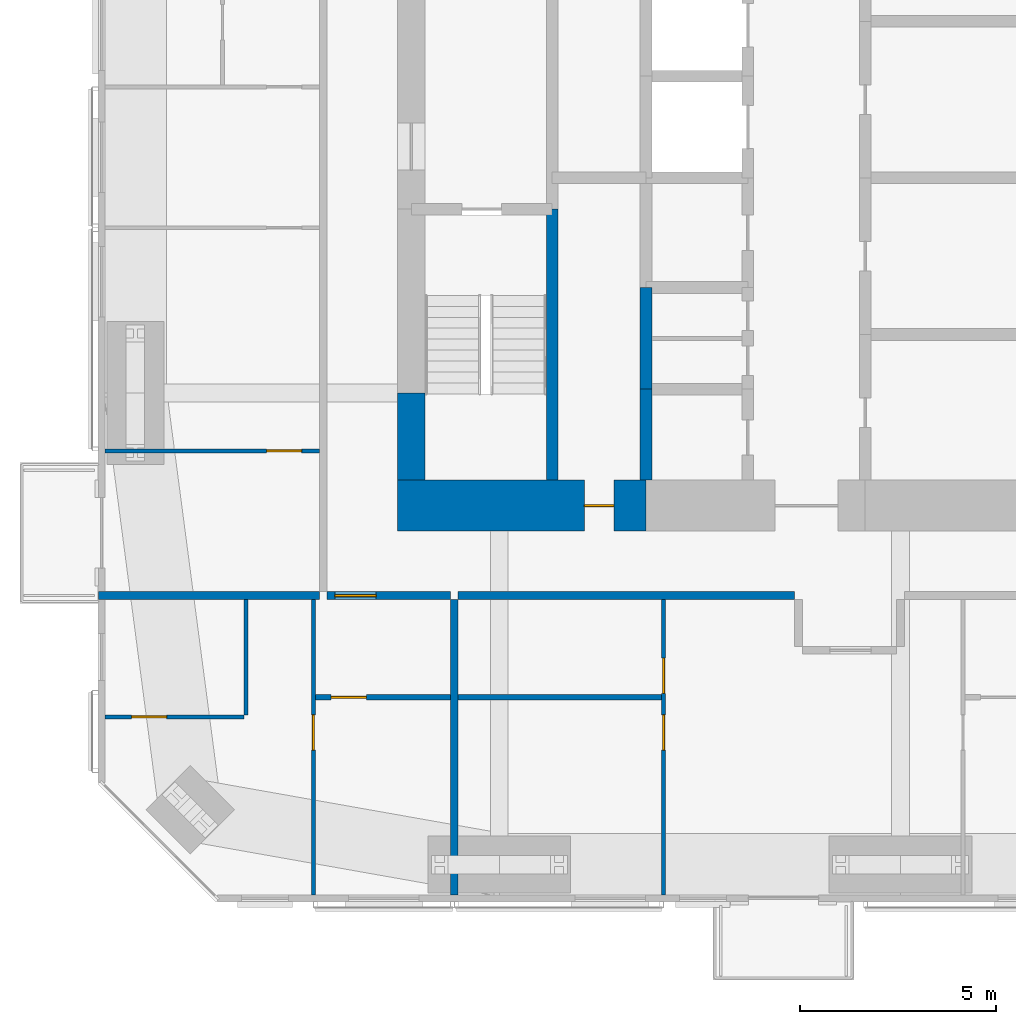
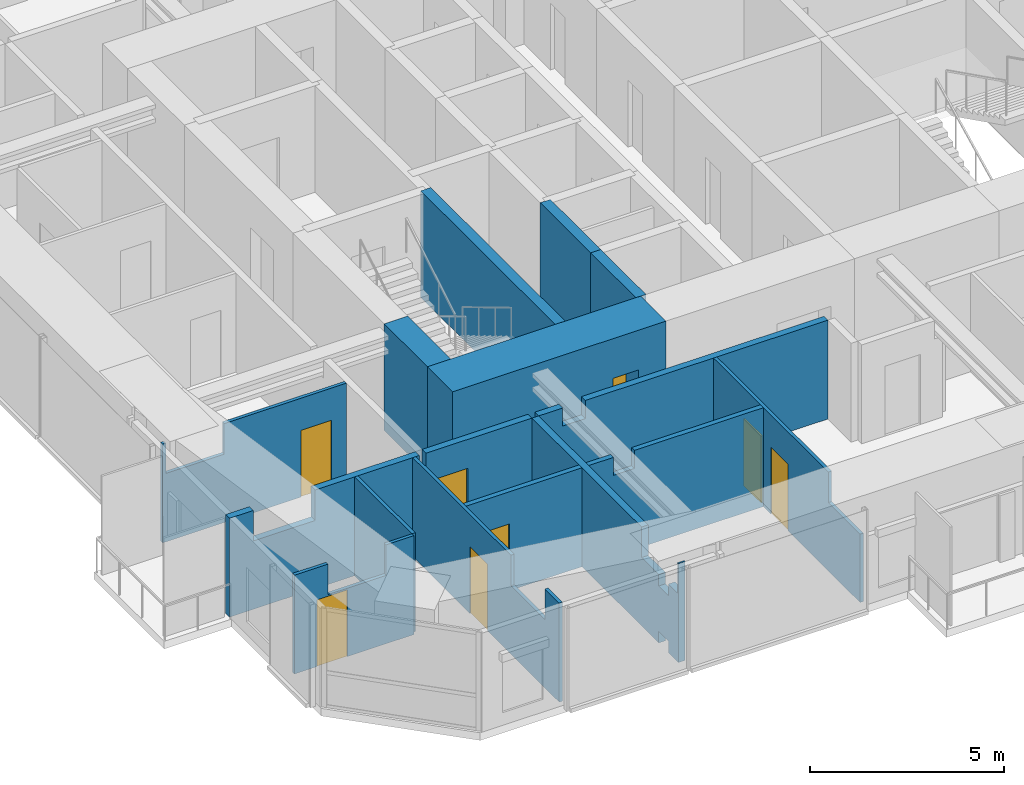
# One storey, part 15 of 23: 16 walls, 8 doors, 8 openings.
"""IFC4 building model written with IfcOpenShell, lengths in metres."""

import ifcopenshell
import ifcopenshell.guid

model = None  # the IFC model being written
_history = None  # IfcOwnerHistory: only IFC2X3 demands one
_inside = {}  # id of a spatial element -> (the spatial element, [elements in it])
_under = {}  # id of a project, library or spatial element -> (it, [spatial elements below it])
_declared = {}  # id of a project -> (the project, [libraries it declares])
_typed = {}  # id of a type object -> (the type object, [elements of that type])
_made_of = {}  # id of a material, layer set ... -> (it, [elements and type objects made of it])


def new_model(schema):
    """Start an empty IFC model of exactly this schema.

    Asked for "IFC4X3", IfcOpenShell would pick the latest addendum, in which some entities
    have other attributes; the version numbers below select the first issue.
    IFC2X3 requires an IfcOwnerHistory on every rooted entity: one is made here for all.
    """
    global model, _history
    if schema == "IFC4X3":
        model = ifcopenshell.file(schema_version=(4, 3, 0, 0))
    else:
        model = ifcopenshell.file(schema=schema)
    _inside.clear()
    _under.clear()
    _declared.clear()
    _typed.clear()
    _made_of.clear()
    _history = None
    if model.schema == "IFC2X3":
        org = make("IfcOrganization", Name="unknown")
        user = make(
            "IfcPersonAndOrganization",
            ThePerson=make("IfcPerson", FamilyName="unknown"),
            TheOrganization=org,
        )
        app = make(
            "IfcApplication",
            ApplicationDeveloper=org,
            Version="unknown",
            ApplicationFullName="unknown",
            ApplicationIdentifier="unknown",
        )
        _history = make(
            "IfcOwnerHistory",
            OwningUser=user,
            OwningApplication=app,
            ChangeAction="ADDED",
            CreationDate=0,
        )
    return model


def make(cls, **values):
    """One entity of the class cls with the attributes given. An attribute that is None is left unset."""
    return model.create_entity(
        cls, **{name: value for name, value in values.items() if value is not None}
    )


def rooted(cls, **values):
    """An entity with a GlobalId (a new one), such as an element, a storey or a relation."""
    return make(cls, GlobalId=ifcopenshell.guid.new(), OwnerHistory=_history, **values)


def si_unit(unit_type, name, prefix=None):
    """IfcSIUnit, for example si_unit("LENGTHUNIT", "METRE", prefix="MILLI")."""
    return make("IfcSIUnit", UnitType=unit_type, Prefix=prefix, Name=name)


def assignment(units):
    """IfcUnitAssignment: the units of a project."""
    return None if units is None else make("IfcUnitAssignment", Units=units)


def point(xyz):
    """IfcCartesianPoint."""
    return None if xyz is None else make("IfcCartesianPoint", Coordinates=xyz)


def direction(xyz):
    """IfcDirection."""
    return None if xyz is None else make("IfcDirection", DirectionRatios=xyz)


def frame(location, z_axis=None, x_axis=None):
    """IfcAxis2Placement3D, a coordinate frame: its origin and axes. An axis left out is left unset."""
    return make(
        "IfcAxis2Placement3D",
        Location=point(location),
        Axis=direction(z_axis),
        RefDirection=direction(x_axis),
    )


def frame_2d(location, x_axis=None):
    """IfcAxis2Placement2D, a coordinate frame in the plane: its origin and x axis."""
    return make(
        "IfcAxis2Placement2D", Location=point(location), RefDirection=direction(x_axis)
    )


def origin():
    """The frame at (0, 0, 0) with its axes left unset."""
    return frame((0.0, 0.0, 0.0))


def place(relative_to, where):
    """IfcLocalPlacement: puts the frame where relative to a parent placement (None: the world)."""
    return make(
        "IfcLocalPlacement", PlacementRelTo=relative_to, RelativePlacement=where
    )


def context(
    kind, dimensions, precision=None, world=None, true_north=None, identifier=None
):
    """IfcGeometricRepresentationContext, for example the 3D "Model" context."""
    return make(
        "IfcGeometricRepresentationContext",
        ContextIdentifier=identifier,
        ContextType=kind,
        CoordinateSpaceDimension=dimensions,
        Precision=precision,
        WorldCoordinateSystem=world,
        TrueNorth=true_north,
    )


def subcontext(parent, identifier, kind, view, scale=None):
    """IfcGeometricRepresentationSubContext, for example "Body" below "Model"."""
    return make(
        "IfcGeometricRepresentationSubContext",
        ContextIdentifier=identifier,
        ContextType=kind,
        ParentContext=parent,
        TargetScale=scale,
        TargetView=view,
    )


def project(units=None, contexts=None):
    """IfcProject with its units and contexts."""
    return rooted(
        "IfcProject",
        Name="project",
        RepresentationContexts=contexts,
        UnitsInContext=assignment(units),
    )


def spatial(cls, under=None, at=None, **own):
    """A site, building, storey or space (cls), placed at a placement, below another one or the project."""
    s = rooted(cls, ObjectPlacement=at, **own)
    if under is not None:
        _under.setdefault(under.id(), (under, []))[1].append(s)
    return s


def polyline(points):
    """IfcPolyline through the points."""
    return make("IfcPolyline", Points=[point(p) for p in points])


def profile(cls, at=None, kind="AREA", **sizes):
    """A parametric profile (cls). Its sizes go by their IFC names, for example OverallWidth=200.0."""
    return make(cls, ProfileType=kind, Position=at, **sizes)


def rectangle(**sizes):
    """IfcRectangleProfileDef."""
    return profile("IfcRectangleProfileDef", **sizes)


def outline(outer, holes=None, kind="AREA"):
    """IfcArbitraryClosedProfileDef: a profile drawn as a closed curve; with holes, ...WithVoids."""
    if holes is None:
        return make("IfcArbitraryClosedProfileDef", ProfileType=kind, OuterCurve=outer)
    return make(
        "IfcArbitraryProfileDefWithVoids",
        ProfileType=kind,
        OuterCurve=outer,
        InnerCurves=holes,
    )


def extrude(swept, where, along, depth):
    """IfcExtrudedAreaSolid: the profile swept, set in the frame where, extruded along a direction by depth."""
    return make(
        "IfcExtrudedAreaSolid",
        SweptArea=swept,
        Position=where,
        ExtrudedDirection=direction(along),
        Depth=depth,
    )


def shape(context_of_items, identifier, shape_type, items):
    """IfcShapeRepresentation: the items that make up one representation, for example the "Body"."""
    return make(
        "IfcShapeRepresentation",
        ContextOfItems=context_of_items,
        RepresentationIdentifier=identifier,
        RepresentationType=shape_type,
        Items=items,
    )


def material(Name=None, Category=None):
    """IfcMaterial."""
    return make("IfcMaterial", Name=Name, Category=Category)


def layer(
    of_material, thickness, ventilated=None, Name=None, Category=None, Priority=None
):
    """IfcMaterialLayer: one layer of a wall or slab, of a material (None: an air gap)."""
    return make(
        "IfcMaterialLayer",
        Material=of_material,
        LayerThickness=thickness,
        IsVentilated=ventilated,
        Name=Name,
        Category=Category,
        Priority=Priority,
    )


def layer_set(layers, Name=None):
    """IfcMaterialLayerSet."""
    return make("IfcMaterialLayerSet", MaterialLayers=layers, LayerSetName=Name)


def constituent(of_material, Name=None, Category=None, fraction=None):
    """IfcMaterialConstituent: one of the materials an element consists of."""
    return make(
        "IfcMaterialConstituent",
        Name=Name,
        Material=of_material,
        Fraction=fraction,
        Category=Category,
    )


def constituent_set(constituents=None, Name=None):
    """IfcMaterialConstituentSet."""
    return make(
        "IfcMaterialConstituentSet", Name=Name, MaterialConstituents=constituents
    )


def made_of(thing, what):
    """Note that an element or type object is made of a material, layer set ...; save() writes the relation."""
    if what is not None:
        _made_of.setdefault(what.id(), (what, []))[1].append(thing)
    return thing


def type_object(cls, material=None, **own):
    """A type object (cls), such as IfcWallType, which elements share."""
    return made_of(rooted(cls, **own), material)


def element(
    cls,
    number,
    at=None,
    inside=None,
    cuts=None,
    type_object=None,
    material=None,
    context=None,
    identifier="Body",
    shape_type=None,
    held_by="IfcProductDefinitionShape",
    body=None,
    shapes=None,
    **own,
):
    """One element of the class cls, such as IfcWall. Its Tag is "e" and its number.

    at: its placement. inside: the storey or other place that contains it. cuts: it is an
    opening in that element (IfcRelVoidsElement). A single representation is given by context,
    identifier, shape_type and body (its items); several are given by shapes. held_by: the class
    of the entity that holds the representations. save() writes the other relations.
    """
    e = rooted(cls, Tag="e%d" % number, ObjectPlacement=at, **own)
    if body is not None:
        shapes = [shape(context, identifier, shape_type, body)]
    if shapes is not None:
        e.Representation = make(held_by, Representations=shapes)
    if inside is not None:
        _inside.setdefault(inside.id(), (inside, []))[1].append(e)
    if cuts is not None:
        rooted(
            "IfcRelVoidsElement", RelatingBuildingElement=cuts, RelatedOpeningElement=e
        )
    if type_object is not None:
        _typed.setdefault(type_object.id(), (type_object, []))[1].append(e)
    return made_of(e, material)


def fill(opening, filler):
    """IfcRelFillsElement: the door or window that sits in an opening."""
    return rooted(
        "IfcRelFillsElement",
        RelatingOpeningElement=opening,
        RelatedBuildingElement=filler,
    )


def aggregate(whole, parts):
    """IfcRelAggregates: a whole, such as a stair, and the parts it consists of."""
    return rooted("IfcRelAggregates", RelatingObject=whole, RelatedObjects=parts)


def save(model, path):
    """Write the relations noted so far, then the file.

    IfcRelAggregates (storeys below a building ...), IfcRelContainedInSpatialStructure (elements
    in a storey), IfcRelDefinesByType, IfcRelAssociatesMaterial and IfcRelDeclares: one each for
    every whole, place, type object, material and project.
    """
    for whole, parts in _under.values():
        aggregate(whole, parts)
    for where, things in _inside.values():
        rooted(
            "IfcRelContainedInSpatialStructure",
            RelatedElements=things,
            RelatingStructure=where,
        )
    for kind, things in _typed.values():
        rooted("IfcRelDefinesByType", RelatedObjects=things, RelatingType=kind)
    for what, things in _made_of.values():
        rooted("IfcRelAssociatesMaterial", RelatedObjects=things, RelatingMaterial=what)
    for by, libraries in _declared.values():
        rooted("IfcRelDeclares", RelatingContext=by, RelatedDefinitions=libraries)
    model.write(path)


model = new_model("IFC4")

# Units and contexts
model_context = context("Model", 3, precision=1e-05, world=origin(), true_north=direction((0.0, 1.0)))
body_context = subcontext(model_context, "Body", "Model", "MODEL_VIEW")
ifc_project = project(units=[si_unit("LENGTHUNIT", "METRE"), si_unit("AREAUNIT", "SQUARE_METRE"), si_unit("VOLUMEUNIT", "CUBIC_METRE"), si_unit("PLANEANGLEUNIT", "RADIAN"), si_unit("MASSUNIT", "GRAM", prefix="KILO")], contexts=[model_context])

# Site, building, storey
site_placement = place(None, origin())
site = spatial("IfcSite", under=ifc_project, at=site_placement, CompositionType="ELEMENT")
building_placement = place(site_placement, origin())
building = spatial("IfcBuilding", under=site, at=building_placement, Name="Jalousie Tower", CompositionType="ELEMENT")
storey_placement = place(building_placement, frame((0.0, 0.0, 197.89990234375)))
storey = spatial("IfcBuildingStorey", under=building, at=storey_placement, Name="L54", CompositionType="ELEMENT", Elevation=197.89990234375)

# Wall, opening, door
ifc_material_1 = material(Name="Concrete block ASTM C90", Category="concrete")
ifc_constituent_1 = constituent(ifc_material_1, Name="Body")
ifc_material_2 = material(Name="Render")
ifc_constituent_2 = constituent(ifc_material_2, Name="Finish")
ifc_constituent_set_1 = constituent_set(constituents=[ifc_constituent_1, ifc_constituent_2])
wall_type_1 = type_object("IfcWallType", Name="BATHROOM WALL 150", PredefinedType="PLUMBINGWALL", material=ifc_constituent_set_1)
wall_1_placement = place(storey_placement, frame((17.550048828125, 5.22509765625, 0.0), z_axis=(0.0, 0.0, 1.0), x_axis=(1.0, 0.0, 0.0)))
wall_1 = element("IfcWall", 1, at=wall_1_placement, inside=storey, type_object=wall_type_1, Name="Bathroom Wall 150 L54", PredefinedType="PLUMBINGWALL", context=body_context, shape_type="SweptSolid", body=[
    extrude(rectangle(XDim=3.449951171875, YDim=0.14990234375, at=frame_2d((1.72509765625, 0.0))), origin(), (0.0, 0.0, 1.0), 3.110107421875),
])
opening_1_placement = place(wall_1_placement, frame((0.39990234375, 0.0, 0.0)))
opening_1 = element("IfcOpeningElement", 2, at=opening_1_placement, cuts=wall_1, Name="Opening D3", PredefinedType="OPENING", context=body_context, shape_type="SweptSolid", body=[
    extrude(rectangle(XDim=0.89990234375, YDim=2.10009765625, at=frame_2d((0.449951171875, 1.050048828125))), frame((0.0, 0.0849609375, 0.0), z_axis=(0.0, -1.0, 0.0), x_axis=(1.0, 0.0, 0.0)), (0.0, 0.0, 1.0), 0.169921875),
])
ifc_material_3 = material(Name="Timber door", Category="wood")
door_type_1 = type_object("IfcDoorType", Name="BATHROOM DOOR 900", OperationType="SINGLE_SWING_LEFT", PredefinedType="DOOR", material=ifc_material_3)
door_1_placement = place(opening_1_placement, origin())
door_1 = element("IfcDoor", 3, at=door_1_placement, inside=storey, type_object=door_type_1, Name="Apartment 5401 bedroom 1 bathroom door", OperationType="SINGLE_SWING_LEFT", OverallHeight=2.10009765625, OverallWidth=0.89990234375, PredefinedType="DOOR", context=body_context, shape_type="SweptSolid", body=[
    extrude(rectangle(XDim=0.89990234375, YDim=2.10009765625, at=frame_2d((0.449951171875, 1.050048828125))), frame((0.0, 0.02490234375, 0.0), z_axis=(0.0, -1.0, 0.0), x_axis=(1.0, 0.0, 0.0)), (0.0, 0.0, 1.0), 0.050048828125),
])
fill(opening_1, door_1)

# Wall
wall_2_placement = place(storey_placement, frame((21.199951171875, 5.22509765625, 0.0), z_axis=(0.0, 0.0, 1.0), x_axis=(1.0, 0.0, 0.0)))
element("IfcWall", 4, at=wall_2_placement, inside=storey, type_object=wall_type_1, Name="Bathroom Wall 150 L54", PredefinedType="PLUMBINGWALL", context=body_context, shape_type="SweptSolid", body=[
    extrude(outline(polyline([(0.0, 0.0), (5.199951171875, 0.0), (5.199951171875, 3.110107421875), (1.3623046875, 3.110107421875), (1.3623046875, 2.541015625), (0.737548828125, 2.541015625), (0.737548828125, 3.110107421875), (0.0, 3.110107421875), (0.0, 0.0)])), frame((0.0, 0.074951171875, 0.0), z_axis=(0.0, -1.0, 0.0), x_axis=(1.0, 0.0, 0.0)), (0.0, 0.0, 1.0), 0.14990234375),
])

# Wall, opening, door
ifc_material_4 = material(Name="Concrete f'c 120 MPa", Category="concrete")
ifc_layer_1 = layer(ifc_material_4, 1.300048828125)
ifc_layer_set_1 = layer_set([ifc_layer_1], Name="Concrete f'c 120 MPa")
wall_type_2 = type_object("IfcWallType", Name="CORE WALL 1300", PredefinedType="SHEAR", material=ifc_layer_set_1)
wall_3_placement = place(storey_placement, frame((19.64990234375, 10.125, 0.0), z_axis=(0.0, 0.0, 1.0), x_axis=(1.0, 0.0, 0.0)))
wall_3 = element("IfcWall", 5, at=wall_3_placement, inside=storey, type_object=wall_type_2, Name="Core wall SA L54", PredefinedType="SHEAR", context=body_context, shape_type="SweptSolid", body=[
    extrude(rectangle(XDim=6.35009765625, YDim=1.300048828125, at=frame_2d((3.175048828125, 0.0))), origin(), (0.0, 0.0, 1.0), 3.35009765625),
])
opening_2_placement = place(wall_3_placement, frame((4.77490234375, 0.0, 0.0)))
opening_2 = element("IfcOpeningElement", 6, at=opening_2_placement, cuts=wall_3, Name="Opening D16", PredefinedType="OPENING", context=body_context, shape_type="SweptSolid", body=[
    extrude(rectangle(XDim=0.75, YDim=2.10009765625, at=frame_2d((0.375, 1.050048828125))), frame((0.0, 0.659912109375, 0.0), z_axis=(0.0, -1.0, 0.0), x_axis=(1.0, 0.0, 0.0)), (0.0, 0.0, 1.0), 1.320068359375),
])
ifc_material_5 = material(Name="Steel fire door", Category="steel")
door_type_2 = type_object("IfcDoorType", Name="RISER DOOR 750", OperationType="SINGLE_SWING_LEFT", PredefinedType="DOOR", material=ifc_material_5)
door_2_placement = place(opening_2_placement, origin())
door_2 = element("IfcDoor", 7, at=door_2_placement, inside=storey, type_object=door_type_2, Name="South riser door", OperationType="SINGLE_SWING_LEFT", OverallHeight=2.10009765625, OverallWidth=0.75, PredefinedType="DOOR", context=body_context, shape_type="SweptSolid", body=[
    extrude(rectangle(XDim=0.75, YDim=2.10009765625, at=frame_2d((0.375, 1.050048828125))), frame((0.0, 0.02490234375, 0.0), z_axis=(0.0, -1.0, 0.0), x_axis=(1.0, 0.0, 0.0)), (0.0, 0.0, 1.0), 0.050048828125),
])
fill(opening_2, door_2)

# Walls
ifc_material_6 = material(Name="Concrete f'c 120 MPa", Category="concrete")
ifc_layer_2 = layer(ifc_material_6, 0.300048828125)
ifc_layer_set_2 = layer_set([ifc_layer_2], Name="Concrete f'c 120 MPa")
wall_type_3 = type_object("IfcWallType", Name="CORE WALL 300", PredefinedType="SHEAR", material=ifc_layer_set_2)
wall_4_placement = place(storey_placement, frame((23.60009765625, 10.77490234375, 0.0), z_axis=(0.0, 0.0, 1.0), x_axis=(0.0, 1.0, 0.0)))
element("IfcWall", 8, at=wall_4_placement, inside=storey, type_object=wall_type_3, Name="Core wall X23.6A L54", PredefinedType="SHEAR", context=body_context, shape_type="SweptSolid", body=[
    extrude(rectangle(XDim=6.925048828125, YDim=0.300048828125, at=frame_2d((3.46240234375, 0.0))), origin(), (0.0, 0.0, 1.0), 3.35009765625),
])
wall_5_placement = place(storey_placement, frame((26.0, 10.77490234375, 0.0), z_axis=(0.0, 0.0, 1.0), x_axis=(0.0, 1.0, 0.0)))
element("IfcWall", 9, at=wall_5_placement, inside=storey, type_object=wall_type_3, Name="Core wall X26A L54", PredefinedType="SHEAR", context=body_context, shape_type="SweptSolid", body=[
    extrude(rectangle(XDim=2.3251953125, YDim=0.300048828125, at=frame_2d((1.16259765625, 0.0))), origin(), (0.0, 0.0, 1.0), 3.35009765625),
])
wall_6_placement = place(storey_placement, frame((26.0, 13.10009765625, 0.0), z_axis=(0.0, 0.0, 1.0), x_axis=(0.0, 1.0, 0.0)))
element("IfcWall", 10, at=wall_6_placement, inside=storey, type_object=wall_type_3, Name="Core wall X26B L54", PredefinedType="SHEAR", context=body_context, shape_type="SweptSolid", body=[
    extrude(rectangle(XDim=2.599853515625, YDim=0.300048828125, at=frame_2d((1.2998046875, 0.0))), origin(), (0.0, 0.0, 1.0), 3.35009765625),
])
ifc_material_7 = material(Name="Concrete f'c 120 MPa", Category="concrete")
ifc_layer_3 = layer(ifc_material_7, 0.699951171875)
ifc_layer_set_3 = layer_set([ifc_layer_3], Name="Concrete f'c 120 MPa")
wall_type_4 = type_object("IfcWallType", Name="CORE WALL 700", PredefinedType="SHEAR", material=ifc_layer_set_3)
wall_7_placement = place(storey_placement, frame((20.0, 13.0, 0.0), z_axis=(0.0, 0.0, 1.0), x_axis=(0.0, -1.0, 0.0)))
element("IfcWall", 11, at=wall_7_placement, inside=storey, type_object=wall_type_4, Name="Core wall WD L54", PredefinedType="SHEAR", context=body_context, shape_type="SweptSolid", body=[
    extrude(rectangle(XDim=2.22509765625, YDim=0.699951171875, at=frame_2d((1.112548828125, 0.0))), origin(), (0.0, 0.0, 1.0), 3.35009765625),
])

# Wall, opening, door
ifc_material_8 = material(Name="Concrete block ASTM C90", Category="concrete")
ifc_constituent_3 = constituent(ifc_material_8, Name="Body")
ifc_material_9 = material(Name="Render")
ifc_constituent_4 = constituent(ifc_material_9, Name="Finish")
ifc_constituent_set_2 = constituent_set(constituents=[ifc_constituent_3, ifc_constituent_4])
wall_type_5 = type_object("IfcWallType", Name="CORRIDOR WALL 200", PredefinedType="PARTITIONING", material=ifc_constituent_set_2)
wall_8_placement = place(storey_placement, frame((17.85009765625, 7.824951171875, 0.0), z_axis=(0.0, 0.0, 1.0), x_axis=(1.0, 0.0, 0.0)))
wall_8 = element("IfcWall", 12, at=wall_8_placement, inside=storey, type_object=wall_type_5, Name="Corridor Wall 200 L54", PredefinedType="PARTITIONING", context=body_context, shape_type="SweptSolid", body=[
    extrude(rectangle(XDim=3.14990234375, YDim=0.199951171875, at=frame_2d((1.574951171875, 0.0))), origin(), (0.0, 0.0, 1.0), 3.110107421875),
])
opening_3_placement = place(wall_8_placement, frame((0.199951171875, 0.0, 0.0)))
opening_3 = element("IfcOpeningElement", 13, at=opening_3_placement, cuts=wall_8, Name="Opening D1", PredefinedType="OPENING", context=body_context, shape_type="SweptSolid", body=[
    extrude(rectangle(XDim=1.050048828125, YDim=2.199951171875, at=frame_2d((0.52490234375, 1.10009765625))), frame((0.0, 0.10986328125, 0.0), z_axis=(0.0, -1.0, 0.0), x_axis=(1.0, 0.0, 0.0)), (0.0, 0.0, 1.0), 0.219970703125),
])
ifc_material_10 = material(Name="Timber fire door", Category="wood")
door_type_3 = type_object("IfcDoorType", Name="APARTMENT ENTRANCE DOOR 1050", OperationType="SINGLE_SWING_LEFT", PredefinedType="DOOR", material=ifc_material_10)
door_3_placement = place(opening_3_placement, frame((1.050048828125, 0.0, 0.0), z_axis=(0.0, 0.0, 1.0), x_axis=(-1.0, 0.0, 0.0)))
door_3 = element("IfcDoor", 14, at=door_3_placement, inside=storey, type_object=door_type_3, Name="Apartment 5401 entrance", OperationType="SINGLE_SWING_RIGHT", OverallHeight=2.199951171875, OverallWidth=1.050048828125, PredefinedType="DOOR", context=body_context, shape_type="SweptSolid", body=[
    extrude(rectangle(XDim=1.050048828125, YDim=2.199951171875, at=frame_2d((0.52490234375, 1.10009765625))), frame((0.0, 0.02490234375, 0.0), z_axis=(0.0, -1.0, 0.0), x_axis=(1.0, 0.0, 0.0)), (0.0, 0.0, 1.0), 0.050048828125),
])
fill(opening_3, door_3)

# Wall
wall_9_placement = place(storey_placement, frame((21.199951171875, 7.824951171875, 0.0), z_axis=(0.0, 0.0, 1.0), x_axis=(1.0, 0.0, 0.0)))
element("IfcWall", 15, at=wall_9_placement, inside=storey, type_object=wall_type_5, Name="Corridor Wall 200 L54", PredefinedType="PARTITIONING", context=body_context, shape_type="SweptSolid", body=[
    extrude(outline(polyline([(0.0, 0.0), (8.60009765625, 0.0), (8.60009765625, 3.110107421875), (1.38720703125, 3.110107421875), (1.38720703125, 2.541015625), (0.712646484375, 2.541015625), (0.712646484375, 3.110107421875), (0.0, 3.110107421875), (0.0, 0.0)])), frame((0.0, 0.10009765625, 0.0), z_axis=(0.0, -1.0, 0.0), x_axis=(1.0, 0.0, 0.0)), (0.0, 0.0, 1.0), 0.199951171875),
])

# Wall, opening, door
ifc_material_11 = material(Name="Gypsum board", Category="gypsum")
ifc_constituent_5 = constituent(ifc_material_11, Name="Body")
ifc_material_12 = material(Name="Light-gauge steel studs ASTM A653 SS Grade 33", Category="steel")
ifc_constituent_6 = constituent(ifc_material_12, Name="Framing")
ifc_constituent_set_3 = constituent_set(constituents=[ifc_constituent_5, ifc_constituent_6])
wall_type_6 = type_object("IfcWallType", Name="PARTITION 100", PredefinedType="PARTITIONING", material=ifc_constituent_set_3)
wall_10_placement = place(storey_placement, frame((17.5, 0.175048828125, 0.0), z_axis=(0.0, 0.0, 1.0), x_axis=(0.0, 1.0, 0.0)))
wall_10 = element("IfcWall", 16, at=wall_10_placement, inside=storey, type_object=wall_type_6, Name="Partition 100 L54", PredefinedType="PARTITIONING", context=body_context, shape_type="SweptSolid", body=[
    extrude(outline(polyline([(0.0, 0.0), (7.550048828125, 0.0), (7.550048828125, 3.110107421875), (2.489013671875, 3.110107421875), (2.489013671875, 2.150146484375), (0.7421875, 2.150146484375), (0.7421875, 3.110107421875), (0.0, 3.110107421875), (0.0, 0.0)])), frame((0.0, 0.050048828125, 0.0), z_axis=(0.0, -1.0, 0.0), x_axis=(1.0, 0.0, 0.0)), (0.0, 0.0, 1.0), 0.10009765625),
])
opening_4_placement = place(wall_10_placement, frame((3.699951171875, 0.0, 0.0)))
opening_4 = element("IfcOpeningElement", 17, at=opening_4_placement, cuts=wall_10, Name="Opening D2", PredefinedType="OPENING", context=body_context, shape_type="SweptSolid", body=[
    extrude(rectangle(XDim=0.89990234375, YDim=2.10009765625, at=frame_2d((0.449951171875, 1.050048828125))), frame((0.0, 0.06005859375, 0.0), z_axis=(0.0, -1.0, 0.0), x_axis=(1.0, 0.0, 0.0)), (0.0, 0.0, 1.0), 0.1201171875),
])
ifc_material_13 = material(Name="Timber door", Category="wood")
door_type_4 = type_object("IfcDoorType", Name="BEDROOM DOOR 900", OperationType="SINGLE_SWING_LEFT", PredefinedType="DOOR", material=ifc_material_13)
door_4_placement = place(opening_4_placement, frame((0.89990234375, 0.0, 0.0), z_axis=(0.0, 0.0, 1.0), x_axis=(-1.0, 0.0, 0.0)))
door_4 = element("IfcDoor", 18, at=door_4_placement, inside=storey, type_object=door_type_4, Name="Apartment 5401 bedroom 1 door", OperationType="SINGLE_SWING_LEFT", OverallHeight=2.10009765625, OverallWidth=0.89990234375, PredefinedType="DOOR", context=body_context, shape_type="SweptSolid", body=[
    extrude(rectangle(XDim=0.89990234375, YDim=2.10009765625, at=frame_2d((0.449951171875, 1.050048828125))), frame((0.0, 0.02490234375, 0.0), z_axis=(0.0, -1.0, 0.0), x_axis=(1.0, 0.0, 0.0)), (0.0, 0.0, 1.0), 0.050048828125),
])
fill(opening_4, door_4)

wall_11_placement = place(storey_placement, frame((12.175048828125, 4.72509765625, 0.0), z_axis=(0.0, 0.0, 1.0), x_axis=(1.0, 0.0, 0.0)))
wall_11 = element("IfcWall", 19, at=wall_11_placement, inside=storey, type_object=wall_type_6, Name="Partition 100 L54", PredefinedType="PARTITIONING", context=body_context, shape_type="SweptSolid", body=[
    extrude(outline(polyline([(0.0, 0.0), (3.550048828125, 0.0), (3.550048828125, 3.110107421875), (2.72900390625, 3.110107421875), (2.72900390625, 2.150146484375), (0.994140625, 2.150146484375), (0.994140625, 3.110107421875), (0.0, 3.110107421875), (0.0, 0.0)])), frame((0.0, 0.050048828125, 0.0), z_axis=(0.0, -1.0, 0.0), x_axis=(1.0, 0.0, 0.0)), (0.0, 0.0, 1.0), 0.10009765625),
])
opening_5_placement = place(wall_11_placement, frame((0.675048828125, 0.0, 0.0)))
opening_5 = element("IfcOpeningElement", 20, at=opening_5_placement, cuts=wall_11, Name="Opening D7", PredefinedType="OPENING", context=body_context, shape_type="SweptSolid", body=[
    extrude(rectangle(XDim=0.89990234375, YDim=2.10009765625, at=frame_2d((0.449951171875, 1.050048828125))), frame((0.0, 0.06005859375, 0.0), z_axis=(0.0, -1.0, 0.0), x_axis=(1.0, 0.0, 0.0)), (0.0, 0.0, 1.0), 0.1201171875),
])
ifc_material_14 = material(Name="Timber door", Category="wood")
door_type_5 = type_object("IfcDoorType", Name="INTERNAL DOOR 900", OperationType="SINGLE_SWING_LEFT", PredefinedType="DOOR", material=ifc_material_14)
door_5_placement = place(opening_5_placement, origin())
door_5 = element("IfcDoor", 21, at=door_5_placement, inside=storey, type_object=door_type_5, Name="Apartment 5401 kitchen door", OperationType="SINGLE_SWING_LEFT", OverallHeight=2.10009765625, OverallWidth=0.89990234375, PredefinedType="DOOR", context=body_context, shape_type="SweptSolid", body=[
    extrude(rectangle(XDim=0.89990234375, YDim=2.10009765625, at=frame_2d((0.449951171875, 1.050048828125))), frame((0.0, 0.02490234375, 0.0), z_axis=(0.0, -1.0, 0.0), x_axis=(1.0, 0.0, 0.0)), (0.0, 0.0, 1.0), 0.050048828125),
])
fill(opening_5, door_5)

# Wall
wall_12_placement = place(storey_placement, frame((15.77490234375, 4.77490234375, 0.0), z_axis=(0.0, 0.0, 1.0), x_axis=(0.0, 1.0, 0.0)))
element("IfcWall", 22, at=wall_12_placement, inside=storey, type_object=wall_type_6, Name="Partition 100 L54", PredefinedType="PARTITIONING", context=body_context, shape_type="SweptSolid", body=[
    extrude(rectangle(XDim=2.9501953125, YDim=0.10009765625, at=frame_2d((1.47509765625, 0.0))), origin(), (0.0, 0.0, 1.0), 3.110107421875),
])

# Wall, openings, doors
wall_13_placement = place(storey_placement, frame((26.449951171875, 0.175048828125, 0.0), z_axis=(0.0, 0.0, 1.0), x_axis=(0.0, 1.0, 0.0)))
wall_13 = element("IfcWall", 23, at=wall_13_placement, inside=storey, type_object=wall_type_6, Name="Partition 100 L54", PredefinedType="PARTITIONING", context=body_context, shape_type="SweptSolid", body=[
    extrude(outline(polyline([(0.0, 0.0), (7.550048828125, 0.0), (7.550048828125, 3.110107421875), (1.635009765625, 3.110107421875), (1.635009765625, 2.150146484375), (0.0, 2.150146484375), (0.0, 3.110107421875), (0.0, 0.0)])), frame((0.0, 0.050048828125, 0.0), z_axis=(0.0, -1.0, 0.0), x_axis=(1.0, 0.0, 0.0)), (0.0, 0.0, 1.0), 0.10009765625),
])
opening_6_placement = place(wall_13_placement, frame((3.699951171875, 0.0, 0.0)))
opening_6 = element("IfcOpeningElement", 24, at=opening_6_placement, cuts=wall_13, Name="Opening D2", PredefinedType="OPENING", context=body_context, shape_type="SweptSolid", body=[
    extrude(rectangle(XDim=0.89990234375, YDim=2.10009765625, at=frame_2d((0.449951171875, 1.050048828125))), frame((0.0, 0.06005859375, 0.0), z_axis=(0.0, -1.0, 0.0), x_axis=(1.0, 0.0, 0.0)), (0.0, 0.0, 1.0), 0.1201171875),
])
opening_7_placement = place(wall_13_placement, frame((5.14990234375, 0.0, 0.0)))
opening_7 = element("IfcOpeningElement", 25, at=opening_7_placement, cuts=wall_13, Name="Opening D7", PredefinedType="OPENING", context=body_context, shape_type="SweptSolid", body=[
    extrude(rectangle(XDim=0.89990234375, YDim=2.10009765625, at=frame_2d((0.449951171875, 1.050048828125))), frame((0.0, 0.06005859375, 0.0), z_axis=(0.0, -1.0, 0.0), x_axis=(1.0, 0.0, 0.0)), (0.0, 0.0, 1.0), 0.1201171875),
])
door_6_placement = place(opening_6_placement, origin())
door_6 = element("IfcDoor", 26, at=door_6_placement, inside=storey, type_object=door_type_4, Name="Apartment 5402 bedroom 1 door", OperationType="SINGLE_SWING_RIGHT", OverallHeight=2.10009765625, OverallWidth=0.89990234375, PredefinedType="DOOR", context=body_context, shape_type="SweptSolid", body=[
    extrude(rectangle(XDim=0.89990234375, YDim=2.10009765625, at=frame_2d((0.449951171875, 1.050048828125))), frame((0.0, 0.02490234375, 0.0), z_axis=(0.0, -1.0, 0.0), x_axis=(1.0, 0.0, 0.0)), (0.0, 0.0, 1.0), 0.050048828125),
])
fill(opening_6, door_6)
door_7_placement = place(opening_7_placement, origin())
door_7 = element("IfcDoor", 27, at=door_7_placement, inside=storey, type_object=door_type_5, Name="Apartment 5402 bathroom door", OperationType="SINGLE_SWING_LEFT", OverallHeight=2.10009765625, OverallWidth=0.89990234375, PredefinedType="DOOR", context=body_context, shape_type="SweptSolid", body=[
    extrude(rectangle(XDim=0.89990234375, YDim=2.10009765625, at=frame_2d((0.449951171875, 1.050048828125))), frame((0.0, 0.02490234375, 0.0), z_axis=(0.0, -1.0, 0.0), x_axis=(1.0, 0.0, 0.0)), (0.0, 0.0, 1.0), 0.050048828125),
])
fill(opening_7, door_7)

# Wall, opening, door
wall_14_placement = place(storey_placement, frame((12.175048828125, 11.52490234375, 0.0), z_axis=(0.0, 0.0, 1.0), x_axis=(1.0, 0.0, 0.0)))
wall_14 = element("IfcWall", 28, at=wall_14_placement, inside=storey, type_object=wall_type_6, Name="Partition 100 L54", PredefinedType="PARTITIONING", context=body_context, shape_type="SweptSolid", body=[
    extrude(outline(polyline([(0.0, 0.0), (5.474853515625, 0.0), (5.47509765625, 3.110107421875), (1.8359375, 3.110107421875), (1.8359375, 2.150146484375), (0.101318359375, 2.150146484375), (0.101318359375, 3.110107421875), (0.0, 3.110107421875), (0.0, 0.0)])), frame((0.0, 0.050048828125, 0.0), z_axis=(0.0, -1.0, 0.0), x_axis=(1.0, 0.0, 0.0)), (0.0, 0.0, 1.0), 0.10009765625),
])
opening_8_placement = place(wall_14_placement, frame((4.125, 0.0, 0.0)))
opening_8 = element("IfcOpeningElement", 29, at=opening_8_placement, cuts=wall_14, Name="Opening D2", PredefinedType="OPENING", context=body_context, shape_type="SweptSolid", body=[
    extrude(rectangle(XDim=0.89990234375, YDim=2.10009765625, at=frame_2d((0.449951171875, 1.050048828125))), frame((0.0, 0.06005859375, 0.0), z_axis=(0.0, -1.0, 0.0), x_axis=(1.0, 0.0, 0.0)), (0.0, 0.0, 1.0), 0.1201171875),
])
door_8_placement = place(opening_8_placement, origin())
door_8 = element("IfcDoor", 30, at=door_8_placement, inside=storey, type_object=door_type_4, Name="Apartment 5406 bedroom 1 door", OperationType="SINGLE_SWING_RIGHT", OverallHeight=2.10009765625, OverallWidth=0.89990234375, PredefinedType="DOOR", context=body_context, shape_type="SweptSolid", body=[
    extrude(rectangle(XDim=0.89990234375, YDim=2.10009765625, at=frame_2d((0.449951171875, 1.050048828125))), frame((0.0, 0.02490234375, 0.0), z_axis=(0.0, -1.0, 0.0), x_axis=(1.0, 0.0, 0.0)), (0.0, 0.0, 1.0), 0.050048828125),
])
fill(opening_8, door_8)

# Walls
ifc_material_15 = material(Name="Concrete block ASTM C90", Category="concrete")
ifc_constituent_7 = constituent(ifc_material_15, Name="Body")
ifc_material_16 = material(Name="Render")
ifc_constituent_8 = constituent(ifc_material_16, Name="Finish")
ifc_constituent_set_4 = constituent_set(constituents=[ifc_constituent_7, ifc_constituent_8])
wall_type_7 = type_object("IfcWallType", Name="PARTY WALL 200", PredefinedType="PARTITIONING", material=ifc_constituent_set_4)
wall_15_placement = place(storey_placement, frame((21.10009765625, 0.175048828125, 0.0), z_axis=(0.0, 0.0, 1.0), x_axis=(0.0, 1.0, 0.0)))
element("IfcWall", 31, at=wall_15_placement, inside=storey, type_object=wall_type_7, Name="Party Wall 200 L54", PredefinedType="PARTITIONING", context=body_context, shape_type="SweptSolid", body=[
    extrude(outline(polyline([(0.054443359375, 3.110107421875), (0.0, 3.110107421875), (0.0, 0.0), (0.52880859375, 0.0), (0.52880859375, 0.36181640625), (1.021240234375, 0.36181640625), (1.021240234375, 0.0), (7.550048828125, 0.0), (7.550048828125, 3.110107421875), (1.902587890625, 3.110107421875), (1.902587890625, 2.150146484375), (1.021240234375, 2.150146484375), (1.021240234375, 1.788330078125), (0.52880859375, 1.788330078125), (0.52880859375, 2.150146484375), (0.054443359375, 2.150146484375), (0.054443359375, 3.110107421875)])), frame((0.0, 0.10009765625, 0.0), z_axis=(0.0, -1.0, 0.0), x_axis=(1.0, 0.0, 0.0)), (0.0, 0.0, 1.0), 0.199951171875),
])
wall_16_placement = place(storey_placement, frame((12.0, 7.824951171875, 0.0), z_axis=(0.0, 0.0, 1.0), x_axis=(1.0, 0.0, 0.0)))
element("IfcWall", 32, at=wall_16_placement, inside=storey, type_object=wall_type_7, Name="Party Wall 200 L54", PredefinedType="PARTITIONING", context=body_context, shape_type="SweptSolid", body=[
    extrude(outline(polyline([(0.0, 0.0), (5.64990234375, 0.0), (5.64990234375, 3.110107421875), (2.54736328125, 3.110107421875), (2.54736328125, 2.150146484375), (0.711669921875, 2.150146484375), (0.711669921875, 3.110107421875), (0.0, 3.110107421875), (0.0, 0.0)])), frame((0.0, 0.10009765625, 0.0), z_axis=(0.0, -1.0, 0.0), x_axis=(1.0, 0.0, 0.0)), (0.0, 0.0, 1.0), 0.199951171875),
])

save(model, "model.ifc")
